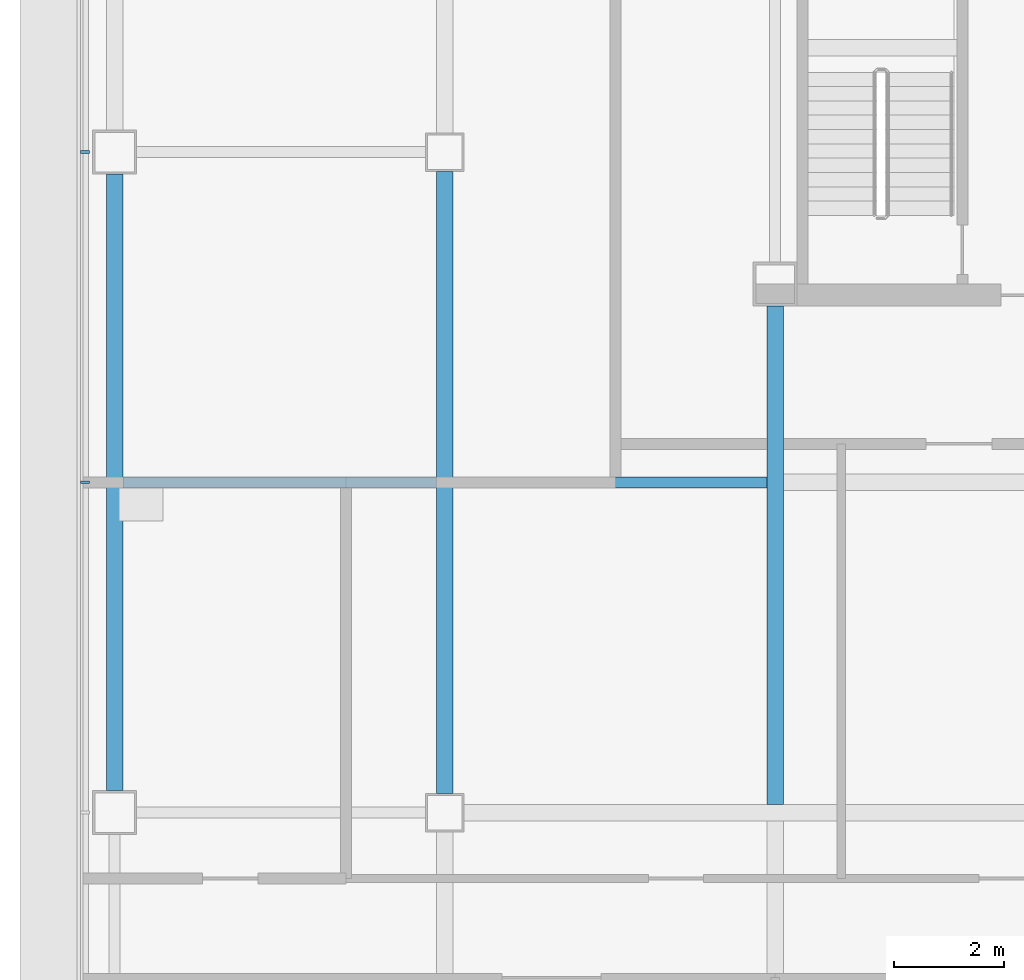
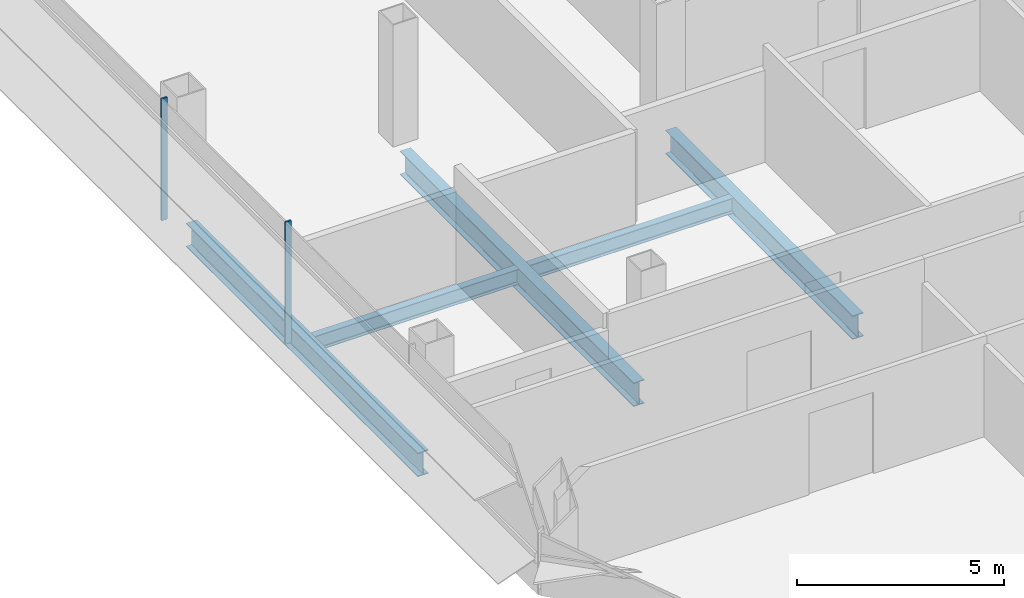
# One storey, part 4 of 25: 5 beams, 2 members, 1 element without a shape of its own.
"""IFC4 building model written with IfcOpenShell, lengths in metres."""

from ifc_helpers import new_model, si_unit, direction, frame, origin, origin_2d, place, context, subcontext, project, spatial, rectangle, i_section, extrude, material, material_profile, profile_set, type_object, element, aggregate, save


model = new_model("IFC4")

# Units and contexts
model_context = context("Model", 3, precision=1e-05, world=origin(), true_north=direction((0.0, 1.0)))
body_context = subcontext(model_context, "Body", "Model", "MODEL_VIEW")
ifc_project = project(units=[si_unit("LENGTHUNIT", "METRE"), si_unit("AREAUNIT", "SQUARE_METRE"), si_unit("VOLUMEUNIT", "CUBIC_METRE"), si_unit("PLANEANGLEUNIT", "RADIAN"), si_unit("MASSUNIT", "GRAM", prefix="KILO")], contexts=[model_context])

# Site, building, storey
site_placement = place(None, origin())
site = spatial("IfcSite", under=ifc_project, at=site_placement, CompositionType="ELEMENT")
building_placement = place(site_placement, origin())
building = spatial("IfcBuilding", under=site, at=building_placement, Name="Sorahane Residences", CompositionType="ELEMENT")
storey_placement = place(building_placement, frame((0.0, 0.0, 143.800048828125)))
storey = spatial("IfcBuildingStorey", under=building, at=storey_placement, Name="L32", CompositionType="ELEMENT", Elevation=143.800048828125)

# Curtain wall, members
ifc_material_1 = material(Name="Dark low-e glass and black anodised aluminium", Category="aluminium")
curtain_wall_type = type_object("IfcCurtainWallType", Name="Curtain wall CW-1 Typical unitised wall", PredefinedType="NOTDEFINED", material=ifc_material_1)
curtain_wall_placement = place(storey_placement, origin())
curtain_wall = element("IfcCurtainWall", 1, at=curtain_wall_placement, inside=storey, type_object=curtain_wall_type, Name="CW-1 curtain wall L32 W1", PredefinedType="NOTDEFINED")
ifc_material_2 = material(Name="Black anodised aluminium", Category="aluminium")
ifc_material_profile_1 = material_profile(ifc_material_2, rectangle(XDim=0.159912109375, YDim=0.050048828125, at=origin_2d()), Name="Curtain wall mullion CW-1 black anodised aluminium 50x160")
ifc_profile_set_1 = profile_set([ifc_material_profile_1], Name="Black anodised aluminium")
member_type = type_object("IfcMemberType", Name="Curtain wall mullion CW-1 black anodised aluminium 50x160", PredefinedType="MULLION", material=ifc_profile_set_1)
member_1_placement = place(storey_placement, frame((-6.5400390625, 24.0, -0.179931640625), z_axis=(0.0, 0.0, 1.0), x_axis=(-1.0, 0.0, 0.0)))
member_1 = element("IfcMember", 2, at=member_1_placement, type_object=member_type, Name="CW-1 mullion L32 W1.4", PredefinedType="MULLION", context=body_context, shape_type="SweptSolid", body=[
    extrude(rectangle(XDim=0.159912109375, YDim=0.050048828125, at=origin_2d()), origin(), (0.0, 0.0, 1.0), 3.599853515625),
])
member_2_placement = place(storey_placement, frame((-6.5400390625, 18.0, -0.179931640625), z_axis=(0.0, 0.0, 1.0), x_axis=(-1.0, 0.0, 0.0)))
member_2 = element("IfcMember", 3, at=member_2_placement, type_object=member_type, Name="CW-1 mullion L32 W1.5", PredefinedType="MULLION", context=body_context, shape_type="SweptSolid", body=[
    extrude(rectangle(XDim=0.159912109375, YDim=0.050048828125, at=origin_2d()), origin(), (0.0, 0.0, 1.0), 3.599853515625),
])
aggregate(curtain_wall, [member_1, member_2])

# Beams
ifc_material_3 = material(Name="Steel Q355B", Category="steel")
ifc_material_profile_2 = material_profile(ifc_material_3, i_section(OverallWidth=0.199951171875, OverallDepth=0.449951171875, WebThickness=0.009033203125, FlangeThickness=0.013916015625, FilletRadius=0.02001953125, at=origin_2d()), Name="HN 450x200x9x14")
ifc_profile_set_2 = profile_set([ifc_material_profile_2], Name="Steel Q355B")
beam_type_1 = type_object("IfcBeamType", Name="Steel floor beam HN 450x200x9x14 Q355B", PredefinedType="BEAM", material=ifc_profile_set_2)
for number, where, z_axis, x_axis, name in (
    (4, (-5.85009765625, 18.0, -0.405029296875), (1.0, 0.0, 0.0), (0.0, 1.0, 0.0), "Beam L32 078"),
    (5, (0.14990234375, 18.0, -0.405029296875), (1.0, 0.0, 0.0), (0.0, 1.0, 0.0), "Beam L32 079"),
):
    element("IfcBeam", number, at=place(storey_placement, frame(where, z_axis=z_axis, x_axis=x_axis)), inside=storey, type_object=beam_type_1, Name=name, PredefinedType="BEAM", context=body_context, shape_type="SweptSolid", body=[
        extrude(i_section(OverallWidth=0.199951171875, OverallDepth=0.449951171875, WebThickness=0.009033203125, FlangeThickness=0.013916015625, FilletRadius=0.02001953125, at=origin_2d()), origin(), (0.0, 0.0, 1.0), 5.7001953125),
    ])
ifc_material_4 = material(Name="Steel Q355B", Category="steel")
ifc_material_profile_3 = material_profile(ifc_material_4, i_section(OverallWidth=0.300048828125, OverallDepth=0.699951171875, WebThickness=0.012939453125, FlangeThickness=0.02392578125, FilletRadius=0.028076171875, at=origin_2d()), Name="HN 700x300x13x24")
ifc_profile_set_3 = profile_set([ifc_material_profile_3], Name="Steel Q355B")
beam_type_2 = type_object("IfcBeamType", Name="Steel floor beam HN 700x300x13x24 Q355B", PredefinedType="BEAM", material=ifc_profile_set_3)
beam_1_placement = place(storey_placement, frame((-6.0, 12.39990234375, -0.530029296875), z_axis=(0.0, 1.0, 0.0), x_axis=(-1.0, 0.0, 0.0)))
element("IfcBeam", 6, at=beam_1_placement, inside=storey, type_object=beam_type_2, Name="Beam L32 021", PredefinedType="BEAM", context=body_context, shape_type="SweptSolid", body=[
    extrude(i_section(OverallWidth=0.300048828125, OverallDepth=0.699951171875, WebThickness=0.012939453125, FlangeThickness=0.02392578125, FilletRadius=0.028076171875, at=origin_2d()), origin(), (0.0, 0.0, 1.0), 11.2001953125),
])
beam_2_placement = place(storey_placement, frame((0.0, 12.35009765625, -0.530029296875), z_axis=(0.0, 1.0, 0.0), x_axis=(-1.0, 0.0, 0.0)))
element("IfcBeam", 7, at=beam_2_placement, inside=storey, type_object=beam_type_2, Name="Beam L32 025", PredefinedType="BEAM", context=body_context, shape_type="SweptSolid", body=[
    extrude(i_section(OverallWidth=0.300048828125, OverallDepth=0.699951171875, WebThickness=0.012939453125, FlangeThickness=0.02392578125, FilletRadius=0.028076171875, at=origin_2d()), origin(), (0.0, 0.0, 1.0), 11.2998046875),
])
beam_3_placement = place(storey_placement, frame((6.0, 12.14990234375, -0.530029296875), z_axis=(0.0, 1.0, 0.0), x_axis=(-1.0, 0.0, 0.0)))
element("IfcBeam", 8, at=beam_3_placement, inside=storey, type_object=beam_type_2, Name="Beam L32 029", PredefinedType="BEAM", context=body_context, shape_type="SweptSolid", body=[
    extrude(i_section(OverallWidth=0.300048828125, OverallDepth=0.699951171875, WebThickness=0.012939453125, FlangeThickness=0.02392578125, FilletRadius=0.028076171875, at=origin_2d()), origin(), (0.0, 0.0, 1.0), 9.050048828125),
])

save(model, "model.ifc")
